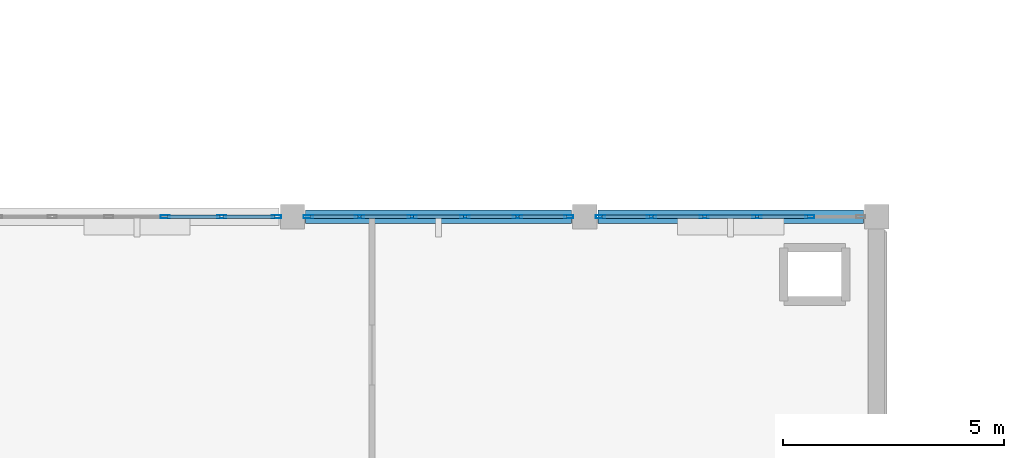
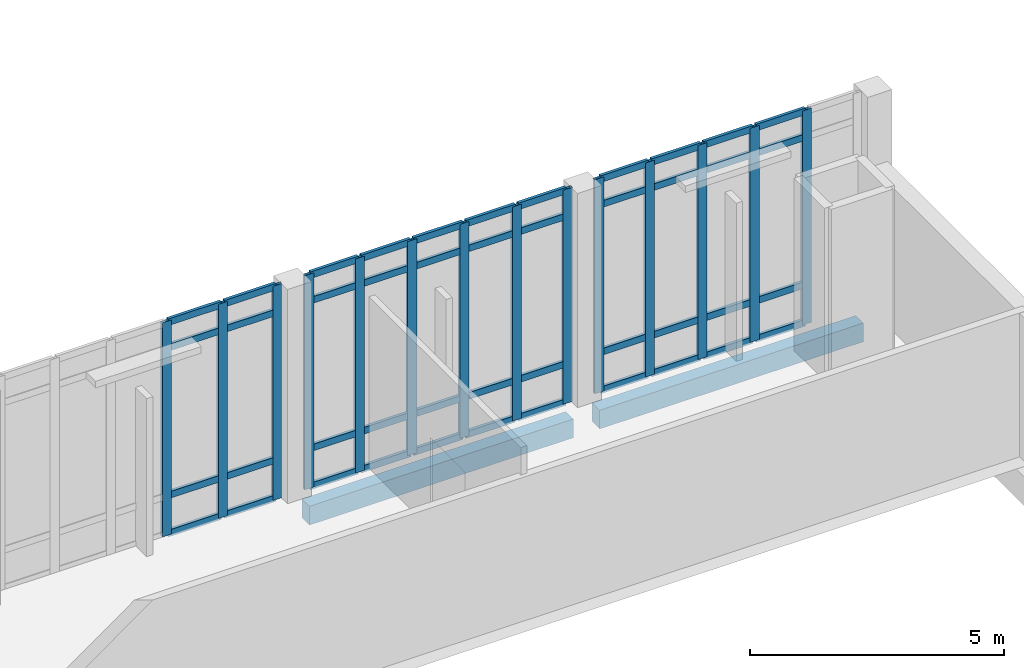
# One storey, part 44 of 134: 58 members, 2 beams, 3 elements without a shape of their own.
"""IFC4 building model written with IfcOpenShell, lengths in metres."""

from ifc_helpers import new_model, si_unit, direction, frame, origin, origin_2d, place, context, subcontext, project, spatial, rectangle, hollow_rectangle, extrude, material, material_profile, profile_set, type_object, element, aggregate, save


model = new_model("IFC4")

# Units and contexts
model_context = context("Model", 3, precision=1e-05, world=origin(), true_north=direction((0.0, 1.0)))
body_context = subcontext(model_context, "Body", "Model", "MODEL_VIEW")
ifc_project = project(units=[si_unit("LENGTHUNIT", "METRE"), si_unit("AREAUNIT", "SQUARE_METRE"), si_unit("VOLUMEUNIT", "CUBIC_METRE"), si_unit("PLANEANGLEUNIT", "RADIAN"), si_unit("MASSUNIT", "GRAM", prefix="KILO")], contexts=[model_context])

# Site, building, storey
site_placement = place(None, origin())
site = spatial("IfcSite", under=ifc_project, at=site_placement, CompositionType="ELEMENT")
building_placement = place(site_placement, origin())
building = spatial("IfcBuilding", under=site, at=building_placement, Name="Kalluvel Institute of Natural Sciences", CompositionType="ELEMENT")
storey_placement = place(building_placement, frame((0.0, 0.0, 5.39990234375)))
storey = spatial("IfcBuildingStorey", under=building, at=storey_placement, Name="L01", CompositionType="ELEMENT", Elevation=5.39990234375)

# Curtain wall, members
ifc_material_1 = material(Name="Aluminium AW-6063 T6", Category="aluminium")
curtain_wall_type = type_object("IfcCurtainWallType", Name="CW-SPAV-45", PredefinedType="USERDEFINED", material=ifc_material_1)
curtain_wall_1_placement = place(storey_placement, origin())
curtain_wall_1 = element("IfcCurtainWall", 1, at=curtain_wall_1_placement, inside=storey, type_object=curtain_wall_type, Name="L01 Gothic lancet curtain wall CWA-L01-X1225-Y356", ObjectType="UNITISED LANCET FACADE", PredefinedType="USERDEFINED")
ifc_material_profile_1 = material_profile(ifc_material_1, hollow_rectangle(XDim=0.070068359375, YDim=0.2099609375, WallThickness=0.0048828125, at=origin_2d()), Name="CWM 70x210")
ifc_profile_set_1 = profile_set([ifc_material_profile_1], Name="Aluminium AW-6063 T6")
member_type_1 = type_object("IfcMemberType", Name="CWM-70x210", PredefinedType="MULLION", material=ifc_profile_set_1)
member_1_placement = place(storey_placement, frame((126.324951171875, 35.60009765625, 0.0), z_axis=(0.0, 0.0, 1.0), x_axis=(0.0, 1.0, 0.0)))
member_1 = element("IfcMember", 2, at=member_1_placement, type_object=member_type_1, Name="CW-10 mullion 4", PredefinedType="MULLION", context=body_context, shape_type="SweptSolid", body=[
    extrude(hollow_rectangle(XDim=0.070068359375, YDim=0.2099609375, WallThickness=0.0048828125, at=origin_2d()), origin(), (0.0, 0.0, 1.0), 5.150146484375),
])
member_2_placement = place(storey_placement, frame((127.60009765625, 35.60009765625, 0.0), z_axis=(0.0, 0.0, 1.0), x_axis=(0.0, 1.0, 0.0)))
member_2 = element("IfcMember", 3, at=member_2_placement, type_object=member_type_1, Name="CW-10 mullion 5", PredefinedType="MULLION", context=body_context, shape_type="SweptSolid", body=[
    extrude(hollow_rectangle(XDim=0.070068359375, YDim=0.2099609375, WallThickness=0.0048828125, at=origin_2d()), origin(), (0.0, 0.0, 1.0), 5.150146484375),
])
member_3_placement = place(storey_placement, frame((128.840087890625, 35.60009765625, 0.0), z_axis=(0.0, 0.0, 1.0), x_axis=(0.0, 1.0, 0.0)))
member_3 = element("IfcMember", 4, at=member_3_placement, type_object=member_type_1, Name="CW-10 mullion 6", PredefinedType="MULLION", context=body_context, shape_type="SweptSolid", body=[
    extrude(hollow_rectangle(XDim=0.070068359375, YDim=0.2099609375, WallThickness=0.0048828125, at=origin_2d()), origin(), (0.0, 0.0, 1.0), 5.150146484375),
])

curtain_wall_2_placement = place(storey_placement, origin())
curtain_wall_2 = element("IfcCurtainWall", 5, at=curtain_wall_2_placement, inside=storey, type_object=curtain_wall_type, Name="L01 Gothic lancet curtain wall CWA-L01-X1295-Y356", ObjectType="UNITISED LANCET FACADE", PredefinedType="USERDEFINED")
member_4_placement = place(storey_placement, frame((129.56005859375, 35.60009765625, 0.0), z_axis=(0.0, 0.0, 1.0), x_axis=(0.0, 1.0, 0.0)))
member_4 = element("IfcMember", 6, at=member_4_placement, type_object=member_type_1, Name="CW-10 mullion 1", PredefinedType="MULLION", context=body_context, shape_type="SweptSolid", body=[
    extrude(hollow_rectangle(XDim=0.070068359375, YDim=0.2099609375, WallThickness=0.0048828125, at=origin_2d()), origin(), (0.0, 0.0, 1.0), 5.150146484375),
])
member_5_placement = place(storey_placement, frame((130.715087890625, 35.60009765625, 0.0), z_axis=(0.0, 0.0, 1.0), x_axis=(0.0, 1.0, 0.0)))
member_5 = element("IfcMember", 7, at=member_5_placement, type_object=member_type_1, Name="CW-10 mullion 2", PredefinedType="MULLION", context=body_context, shape_type="SweptSolid", body=[
    extrude(hollow_rectangle(XDim=0.070068359375, YDim=0.2099609375, WallThickness=0.0048828125, at=origin_2d()), origin(), (0.0, 0.0, 1.0), 5.150146484375),
])
member_6_placement = place(storey_placement, frame((131.905029296875, 35.60009765625, 0.0), z_axis=(0.0, 0.0, 1.0), x_axis=(0.0, 1.0, 0.0)))
member_6 = element("IfcMember", 8, at=member_6_placement, type_object=member_type_1, Name="CW-10 mullion 3", PredefinedType="MULLION", context=body_context, shape_type="SweptSolid", body=[
    extrude(hollow_rectangle(XDim=0.070068359375, YDim=0.2099609375, WallThickness=0.0048828125, at=origin_2d()), origin(), (0.0, 0.0, 1.0), 5.150146484375),
])
member_7_placement = place(storey_placement, frame((133.094970703125, 35.60009765625, 0.0), z_axis=(0.0, 0.0, 1.0), x_axis=(0.0, 1.0, 0.0)))
member_7 = element("IfcMember", 9, at=member_7_placement, type_object=member_type_1, Name="CW-10 mullion 4", PredefinedType="MULLION", context=body_context, shape_type="SweptSolid", body=[
    extrude(hollow_rectangle(XDim=0.070068359375, YDim=0.2099609375, WallThickness=0.0048828125, at=origin_2d()), origin(), (0.0, 0.0, 1.0), 5.150146484375),
])
member_8_placement = place(storey_placement, frame((134.284912109375, 35.60009765625, 0.0), z_axis=(0.0, 0.0, 1.0), x_axis=(0.0, 1.0, 0.0)))
member_8 = element("IfcMember", 10, at=member_8_placement, type_object=member_type_1, Name="CW-10 mullion 5", PredefinedType="MULLION", context=body_context, shape_type="SweptSolid", body=[
    extrude(hollow_rectangle(XDim=0.070068359375, YDim=0.2099609375, WallThickness=0.0048828125, at=origin_2d()), origin(), (0.0, 0.0, 1.0), 5.150146484375),
])
member_9_placement = place(storey_placement, frame((135.43994140625, 35.60009765625, 0.0), z_axis=(0.0, 0.0, 1.0), x_axis=(0.0, 1.0, 0.0)))
member_9 = element("IfcMember", 11, at=member_9_placement, type_object=member_type_1, Name="CW-10 mullion 6", PredefinedType="MULLION", context=body_context, shape_type="SweptSolid", body=[
    extrude(hollow_rectangle(XDim=0.070068359375, YDim=0.2099609375, WallThickness=0.0048828125, at=origin_2d()), origin(), (0.0, 0.0, 1.0), 5.150146484375),
])

curtain_wall_3_placement = place(storey_placement, origin())
curtain_wall_3 = element("IfcCurtainWall", 12, at=curtain_wall_3_placement, inside=storey, type_object=curtain_wall_type, Name="L01 Gothic lancet curtain wall CWA-L01-X1361-Y356", ObjectType="UNITISED LANCET FACADE", PredefinedType="USERDEFINED")
member_10_placement = place(storey_placement, frame((136.159912109375, 35.60009765625, 0.0), z_axis=(0.0, 0.0, 1.0), x_axis=(0.0, 1.0, 0.0)))
member_10 = element("IfcMember", 13, at=member_10_placement, type_object=member_type_1, Name="CW-10 mullion 1", PredefinedType="MULLION", context=body_context, shape_type="SweptSolid", body=[
    extrude(hollow_rectangle(XDim=0.070068359375, YDim=0.2099609375, WallThickness=0.0048828125, at=origin_2d()), origin(), (0.0, 0.0, 1.0), 5.150146484375),
])
member_11_placement = place(storey_placement, frame((137.31494140625, 35.60009765625, 0.0), z_axis=(0.0, 0.0, 1.0), x_axis=(0.0, 1.0, 0.0)))
member_11 = element("IfcMember", 14, at=member_11_placement, type_object=member_type_1, Name="CW-10 mullion 2", PredefinedType="MULLION", context=body_context, shape_type="SweptSolid", body=[
    extrude(hollow_rectangle(XDim=0.070068359375, YDim=0.2099609375, WallThickness=0.0048828125, at=origin_2d()), origin(), (0.0, 0.0, 1.0), 5.150146484375),
])
member_12_placement = place(storey_placement, frame((138.5048828125, 35.60009765625, 0.0), z_axis=(0.0, 0.0, 1.0), x_axis=(0.0, 1.0, 0.0)))
member_12 = element("IfcMember", 15, at=member_12_placement, type_object=member_type_1, Name="CW-10 mullion 3", PredefinedType="MULLION", context=body_context, shape_type="SweptSolid", body=[
    extrude(hollow_rectangle(XDim=0.070068359375, YDim=0.2099609375, WallThickness=0.0048828125, at=origin_2d()), origin(), (0.0, 0.0, 1.0), 5.150146484375),
])
member_13_placement = place(storey_placement, frame((139.695068359375, 35.60009765625, 0.0), z_axis=(0.0, 0.0, 1.0), x_axis=(0.0, 1.0, 0.0)))
member_13 = element("IfcMember", 16, at=member_13_placement, type_object=member_type_1, Name="CW-10 mullion 4", PredefinedType="MULLION", context=body_context, shape_type="SweptSolid", body=[
    extrude(hollow_rectangle(XDim=0.070068359375, YDim=0.2099609375, WallThickness=0.0048828125, at=origin_2d()), origin(), (0.0, 0.0, 1.0), 5.150146484375),
])
member_14_placement = place(storey_placement, frame((140.885009765625, 35.60009765625, 0.0), z_axis=(0.0, 0.0, 1.0), x_axis=(0.0, 1.0, 0.0)))
member_14 = element("IfcMember", 17, at=member_14_placement, type_object=member_type_1, Name="CW-10 mullion 5", PredefinedType="MULLION", context=body_context, shape_type="SweptSolid", body=[
    extrude(hollow_rectangle(XDim=0.070068359375, YDim=0.2099609375, WallThickness=0.0048828125, at=origin_2d()), origin(), (0.0, 0.0, 1.0), 5.150146484375),
])

# Member
ifc_material_profile_2 = material_profile(ifc_material_1, hollow_rectangle(XDim=0.070068359375, YDim=0.159912109375, WallThickness=0.0048828125, at=origin_2d()), Name="CWT 70x160")
ifc_profile_set_2 = profile_set([ifc_material_profile_2], Name="Aluminium AW-6063 T6")
member_type_2 = type_object("IfcMemberType", Name="CWT-70x160", PredefinedType="USERDEFINED", material=ifc_profile_set_2)
member_15_placement = place(storey_placement, frame((126.360107421875, 35.60009765625, 0.03515625), z_axis=(1.0, 0.0, 0.0), x_axis=(0.0, 1.0, 0.0)))
member_15 = element("IfcMember", 18, at=member_15_placement, type_object=member_type_2, Name="CW-10 transom 4.1", ObjectType="TRANSOM", PredefinedType="USERDEFINED", context=body_context, shape_type="SweptSolid", body=[
    extrude(hollow_rectangle(XDim=0.070068359375, YDim=0.159912109375, WallThickness=0.0048828125, at=origin_2d()), origin(), (0.0, 0.0, 1.0), 1.204833984375),
])

member_16_placement = place(storey_placement, frame((126.360107421875, 35.60009765625, 0.9501953125), z_axis=(1.0, 0.0, 0.0), x_axis=(0.0, 1.0, 0.0)))
member_16 = element("IfcMember", 19, at=member_16_placement, type_object=member_type_2, Name="CW-10 transom 4.2", ObjectType="TRANSOM", PredefinedType="USERDEFINED", context=body_context, shape_type="SweptSolid", body=[
    extrude(hollow_rectangle(XDim=0.070068359375, YDim=0.159912109375, WallThickness=0.0048828125, at=origin_2d()), origin(), (0.0, 0.0, 1.0), 1.204833984375),
])

member_17_placement = place(storey_placement, frame((126.360107421875, 35.60009765625, 4.5), z_axis=(1.0, 0.0, 0.0), x_axis=(0.0, 1.0, 0.0)))
member_17 = element("IfcMember", 20, at=member_17_placement, type_object=member_type_2, Name="CW-10 transom 4.3", ObjectType="TRANSOM", PredefinedType="USERDEFINED", context=body_context, shape_type="SweptSolid", body=[
    extrude(hollow_rectangle(XDim=0.070068359375, YDim=0.159912109375, WallThickness=0.0048828125, at=origin_2d()), origin(), (0.0, 0.0, 1.0), 1.204833984375),
])

member_18_placement = place(storey_placement, frame((126.360107421875, 35.60009765625, 5.114990234375), z_axis=(1.0, 0.0, 0.0), x_axis=(0.0, 1.0, 0.0)))
member_18 = element("IfcMember", 21, at=member_18_placement, type_object=member_type_2, Name="CW-10 transom 4.4", ObjectType="TRANSOM", PredefinedType="USERDEFINED", context=body_context, shape_type="SweptSolid", body=[
    extrude(hollow_rectangle(XDim=0.070068359375, YDim=0.159912109375, WallThickness=0.0048828125, at=origin_2d()), origin(), (0.0, 0.0, 1.0), 1.204833984375),
])

member_19_placement = place(storey_placement, frame((127.635009765625, 35.60009765625, 0.03515625), z_axis=(1.0, 0.0, 0.0), x_axis=(0.0, 1.0, 0.0)))
member_19 = element("IfcMember", 22, at=member_19_placement, type_object=member_type_2, Name="CW-10 transom 5.1", ObjectType="TRANSOM", PredefinedType="USERDEFINED", context=body_context, shape_type="SweptSolid", body=[
    extrude(hollow_rectangle(XDim=0.070068359375, YDim=0.159912109375, WallThickness=0.0048828125, at=origin_2d()), origin(), (0.0, 0.0, 1.0), 1.169921875),
])

member_20_placement = place(storey_placement, frame((127.635009765625, 35.60009765625, 0.9501953125), z_axis=(1.0, 0.0, 0.0), x_axis=(0.0, 1.0, 0.0)))
member_20 = element("IfcMember", 23, at=member_20_placement, type_object=member_type_2, Name="CW-10 transom 5.2", ObjectType="TRANSOM", PredefinedType="USERDEFINED", context=body_context, shape_type="SweptSolid", body=[
    extrude(hollow_rectangle(XDim=0.070068359375, YDim=0.159912109375, WallThickness=0.0048828125, at=origin_2d()), origin(), (0.0, 0.0, 1.0), 1.169921875),
])

member_21_placement = place(storey_placement, frame((127.635009765625, 35.60009765625, 4.5), z_axis=(1.0, 0.0, 0.0), x_axis=(0.0, 1.0, 0.0)))
member_21 = element("IfcMember", 24, at=member_21_placement, type_object=member_type_2, Name="CW-10 transom 5.3", ObjectType="TRANSOM", PredefinedType="USERDEFINED", context=body_context, shape_type="SweptSolid", body=[
    extrude(hollow_rectangle(XDim=0.070068359375, YDim=0.159912109375, WallThickness=0.0048828125, at=origin_2d()), origin(), (0.0, 0.0, 1.0), 1.169921875),
])

member_22_placement = place(storey_placement, frame((127.635009765625, 35.60009765625, 5.114990234375), z_axis=(1.0, 0.0, 0.0), x_axis=(0.0, 1.0, 0.0)))
member_22 = element("IfcMember", 25, at=member_22_placement, type_object=member_type_2, Name="CW-10 transom 5.4", ObjectType="TRANSOM", PredefinedType="USERDEFINED", context=body_context, shape_type="SweptSolid", body=[
    extrude(hollow_rectangle(XDim=0.070068359375, YDim=0.159912109375, WallThickness=0.0048828125, at=origin_2d()), origin(), (0.0, 0.0, 1.0), 1.169921875),
])

aggregate(curtain_wall_1, [member_1, member_2, member_3, member_15, member_16, member_17, member_18, member_19, member_20, member_21, member_22])

member_23_placement = place(storey_placement, frame((129.594970703125, 35.60009765625, 0.03515625), z_axis=(1.0, 0.0, 0.0), x_axis=(0.0, 1.0, 0.0)))
member_23 = element("IfcMember", 26, at=member_23_placement, type_object=member_type_2, Name="CW-10 transom 1.1", ObjectType="TRANSOM", PredefinedType="USERDEFINED", context=body_context, shape_type="SweptSolid", body=[
    extrude(hollow_rectangle(XDim=0.070068359375, YDim=0.159912109375, WallThickness=0.0048828125, at=origin_2d()), origin(), (0.0, 0.0, 1.0), 1.0849609375),
])

member_24_placement = place(storey_placement, frame((129.594970703125, 35.60009765625, 0.9501953125), z_axis=(1.0, 0.0, 0.0), x_axis=(0.0, 1.0, 0.0)))
member_24 = element("IfcMember", 27, at=member_24_placement, type_object=member_type_2, Name="CW-10 transom 1.2", ObjectType="TRANSOM", PredefinedType="USERDEFINED", context=body_context, shape_type="SweptSolid", body=[
    extrude(hollow_rectangle(XDim=0.070068359375, YDim=0.159912109375, WallThickness=0.0048828125, at=origin_2d()), origin(), (0.0, 0.0, 1.0), 1.0849609375),
])

member_25_placement = place(storey_placement, frame((129.594970703125, 35.60009765625, 4.5), z_axis=(1.0, 0.0, 0.0), x_axis=(0.0, 1.0, 0.0)))
member_25 = element("IfcMember", 28, at=member_25_placement, type_object=member_type_2, Name="CW-10 transom 1.3", ObjectType="TRANSOM", PredefinedType="USERDEFINED", context=body_context, shape_type="SweptSolid", body=[
    extrude(hollow_rectangle(XDim=0.070068359375, YDim=0.159912109375, WallThickness=0.0048828125, at=origin_2d()), origin(), (0.0, 0.0, 1.0), 1.0849609375),
])

member_26_placement = place(storey_placement, frame((129.594970703125, 35.60009765625, 5.114990234375), z_axis=(1.0, 0.0, 0.0), x_axis=(0.0, 1.0, 0.0)))
member_26 = element("IfcMember", 29, at=member_26_placement, type_object=member_type_2, Name="CW-10 transom 1.4", ObjectType="TRANSOM", PredefinedType="USERDEFINED", context=body_context, shape_type="SweptSolid", body=[
    extrude(hollow_rectangle(XDim=0.070068359375, YDim=0.159912109375, WallThickness=0.0048828125, at=origin_2d()), origin(), (0.0, 0.0, 1.0), 1.0849609375),
])

member_27_placement = place(storey_placement, frame((130.75, 35.60009765625, 0.03515625), z_axis=(1.0, 0.0, 0.0), x_axis=(0.0, 1.0, 0.0)))
member_27 = element("IfcMember", 30, at=member_27_placement, type_object=member_type_2, Name="CW-10 transom 2.1", ObjectType="TRANSOM", PredefinedType="USERDEFINED", context=body_context, shape_type="SweptSolid", body=[
    extrude(hollow_rectangle(XDim=0.070068359375, YDim=0.159912109375, WallThickness=0.0048828125, at=origin_2d()), origin(), (0.0, 0.0, 1.0), 1.1201171875),
])

member_28_placement = place(storey_placement, frame((130.75, 35.60009765625, 0.9501953125), z_axis=(1.0, 0.0, 0.0), x_axis=(0.0, 1.0, 0.0)))
member_28 = element("IfcMember", 31, at=member_28_placement, type_object=member_type_2, Name="CW-10 transom 2.2", ObjectType="TRANSOM", PredefinedType="USERDEFINED", context=body_context, shape_type="SweptSolid", body=[
    extrude(hollow_rectangle(XDim=0.070068359375, YDim=0.159912109375, WallThickness=0.0048828125, at=origin_2d()), origin(), (0.0, 0.0, 1.0), 1.1201171875),
])

member_29_placement = place(storey_placement, frame((130.75, 35.60009765625, 4.5), z_axis=(1.0, 0.0, 0.0), x_axis=(0.0, 1.0, 0.0)))
member_29 = element("IfcMember", 32, at=member_29_placement, type_object=member_type_2, Name="CW-10 transom 2.3", ObjectType="TRANSOM", PredefinedType="USERDEFINED", context=body_context, shape_type="SweptSolid", body=[
    extrude(hollow_rectangle(XDim=0.070068359375, YDim=0.159912109375, WallThickness=0.0048828125, at=origin_2d()), origin(), (0.0, 0.0, 1.0), 1.1201171875),
])

member_30_placement = place(storey_placement, frame((130.75, 35.60009765625, 5.114990234375), z_axis=(1.0, 0.0, 0.0), x_axis=(0.0, 1.0, 0.0)))
member_30 = element("IfcMember", 33, at=member_30_placement, type_object=member_type_2, Name="CW-10 transom 2.4", ObjectType="TRANSOM", PredefinedType="USERDEFINED", context=body_context, shape_type="SweptSolid", body=[
    extrude(hollow_rectangle(XDim=0.070068359375, YDim=0.159912109375, WallThickness=0.0048828125, at=origin_2d()), origin(), (0.0, 0.0, 1.0), 1.1201171875),
])

member_31_placement = place(storey_placement, frame((131.93994140625, 35.60009765625, 0.03515625), z_axis=(1.0, 0.0, 0.0), x_axis=(0.0, 1.0, 0.0)))
member_31 = element("IfcMember", 34, at=member_31_placement, type_object=member_type_2, Name="CW-10 transom 3.1", ObjectType="TRANSOM", PredefinedType="USERDEFINED", context=body_context, shape_type="SweptSolid", body=[
    extrude(hollow_rectangle(XDim=0.070068359375, YDim=0.159912109375, WallThickness=0.0048828125, at=origin_2d()), origin(), (0.0, 0.0, 1.0), 1.1201171875),
])

member_32_placement = place(storey_placement, frame((131.93994140625, 35.60009765625, 0.9501953125), z_axis=(1.0, 0.0, 0.0), x_axis=(0.0, 1.0, 0.0)))
member_32 = element("IfcMember", 35, at=member_32_placement, type_object=member_type_2, Name="CW-10 transom 3.2", ObjectType="TRANSOM", PredefinedType="USERDEFINED", context=body_context, shape_type="SweptSolid", body=[
    extrude(hollow_rectangle(XDim=0.070068359375, YDim=0.159912109375, WallThickness=0.0048828125, at=origin_2d()), origin(), (0.0, 0.0, 1.0), 1.1201171875),
])

member_33_placement = place(storey_placement, frame((131.93994140625, 35.60009765625, 4.5), z_axis=(1.0, 0.0, 0.0), x_axis=(0.0, 1.0, 0.0)))
member_33 = element("IfcMember", 36, at=member_33_placement, type_object=member_type_2, Name="CW-10 transom 3.3", ObjectType="TRANSOM", PredefinedType="USERDEFINED", context=body_context, shape_type="SweptSolid", body=[
    extrude(hollow_rectangle(XDim=0.070068359375, YDim=0.159912109375, WallThickness=0.0048828125, at=origin_2d()), origin(), (0.0, 0.0, 1.0), 1.1201171875),
])

member_34_placement = place(storey_placement, frame((131.93994140625, 35.60009765625, 5.114990234375), z_axis=(1.0, 0.0, 0.0), x_axis=(0.0, 1.0, 0.0)))
member_34 = element("IfcMember", 37, at=member_34_placement, type_object=member_type_2, Name="CW-10 transom 3.4", ObjectType="TRANSOM", PredefinedType="USERDEFINED", context=body_context, shape_type="SweptSolid", body=[
    extrude(hollow_rectangle(XDim=0.070068359375, YDim=0.159912109375, WallThickness=0.0048828125, at=origin_2d()), origin(), (0.0, 0.0, 1.0), 1.1201171875),
])

member_35_placement = place(storey_placement, frame((133.1298828125, 35.60009765625, 0.03515625), z_axis=(1.0, 0.0, 0.0), x_axis=(0.0, 1.0, 0.0)))
member_35 = element("IfcMember", 38, at=member_35_placement, type_object=member_type_2, Name="CW-10 transom 4.1", ObjectType="TRANSOM", PredefinedType="USERDEFINED", context=body_context, shape_type="SweptSolid", body=[
    extrude(hollow_rectangle(XDim=0.070068359375, YDim=0.159912109375, WallThickness=0.0048828125, at=origin_2d()), origin(), (0.0, 0.0, 1.0), 1.1201171875),
])

member_36_placement = place(storey_placement, frame((133.1298828125, 35.60009765625, 0.9501953125), z_axis=(1.0, 0.0, 0.0), x_axis=(0.0, 1.0, 0.0)))
member_36 = element("IfcMember", 39, at=member_36_placement, type_object=member_type_2, Name="CW-10 transom 4.2", ObjectType="TRANSOM", PredefinedType="USERDEFINED", context=body_context, shape_type="SweptSolid", body=[
    extrude(hollow_rectangle(XDim=0.070068359375, YDim=0.159912109375, WallThickness=0.0048828125, at=origin_2d()), origin(), (0.0, 0.0, 1.0), 1.1201171875),
])

member_37_placement = place(storey_placement, frame((133.1298828125, 35.60009765625, 4.5), z_axis=(1.0, 0.0, 0.0), x_axis=(0.0, 1.0, 0.0)))
member_37 = element("IfcMember", 40, at=member_37_placement, type_object=member_type_2, Name="CW-10 transom 4.3", ObjectType="TRANSOM", PredefinedType="USERDEFINED", context=body_context, shape_type="SweptSolid", body=[
    extrude(hollow_rectangle(XDim=0.070068359375, YDim=0.159912109375, WallThickness=0.0048828125, at=origin_2d()), origin(), (0.0, 0.0, 1.0), 1.1201171875),
])

member_38_placement = place(storey_placement, frame((133.1298828125, 35.60009765625, 5.114990234375), z_axis=(1.0, 0.0, 0.0), x_axis=(0.0, 1.0, 0.0)))
member_38 = element("IfcMember", 41, at=member_38_placement, type_object=member_type_2, Name="CW-10 transom 4.4", ObjectType="TRANSOM", PredefinedType="USERDEFINED", context=body_context, shape_type="SweptSolid", body=[
    extrude(hollow_rectangle(XDim=0.070068359375, YDim=0.159912109375, WallThickness=0.0048828125, at=origin_2d()), origin(), (0.0, 0.0, 1.0), 1.1201171875),
])

member_39_placement = place(storey_placement, frame((134.320068359375, 35.60009765625, 0.03515625), z_axis=(1.0, 0.0, 0.0), x_axis=(0.0, 1.0, 0.0)))
member_39 = element("IfcMember", 42, at=member_39_placement, type_object=member_type_2, Name="CW-10 transom 5.1", ObjectType="TRANSOM", PredefinedType="USERDEFINED", context=body_context, shape_type="SweptSolid", body=[
    extrude(hollow_rectangle(XDim=0.070068359375, YDim=0.159912109375, WallThickness=0.0048828125, at=origin_2d()), origin(), (0.0, 0.0, 1.0), 1.0849609375),
])

member_40_placement = place(storey_placement, frame((134.320068359375, 35.60009765625, 0.9501953125), z_axis=(1.0, 0.0, 0.0), x_axis=(0.0, 1.0, 0.0)))
member_40 = element("IfcMember", 43, at=member_40_placement, type_object=member_type_2, Name="CW-10 transom 5.2", ObjectType="TRANSOM", PredefinedType="USERDEFINED", context=body_context, shape_type="SweptSolid", body=[
    extrude(hollow_rectangle(XDim=0.070068359375, YDim=0.159912109375, WallThickness=0.0048828125, at=origin_2d()), origin(), (0.0, 0.0, 1.0), 1.0849609375),
])

member_41_placement = place(storey_placement, frame((134.320068359375, 35.60009765625, 4.5), z_axis=(1.0, 0.0, 0.0), x_axis=(0.0, 1.0, 0.0)))
member_41 = element("IfcMember", 44, at=member_41_placement, type_object=member_type_2, Name="CW-10 transom 5.3", ObjectType="TRANSOM", PredefinedType="USERDEFINED", context=body_context, shape_type="SweptSolid", body=[
    extrude(hollow_rectangle(XDim=0.070068359375, YDim=0.159912109375, WallThickness=0.0048828125, at=origin_2d()), origin(), (0.0, 0.0, 1.0), 1.0849609375),
])

member_42_placement = place(storey_placement, frame((134.320068359375, 35.60009765625, 5.114990234375), z_axis=(1.0, 0.0, 0.0), x_axis=(0.0, 1.0, 0.0)))
member_42 = element("IfcMember", 45, at=member_42_placement, type_object=member_type_2, Name="CW-10 transom 5.4", ObjectType="TRANSOM", PredefinedType="USERDEFINED", context=body_context, shape_type="SweptSolid", body=[
    extrude(hollow_rectangle(XDim=0.070068359375, YDim=0.159912109375, WallThickness=0.0048828125, at=origin_2d()), origin(), (0.0, 0.0, 1.0), 1.0849609375),
])

aggregate(curtain_wall_2, [member_4, member_5, member_6, member_7, member_8, member_9, member_23, member_24, member_25, member_26, member_27, member_28, member_29, member_30, member_31, member_32, member_33, member_34, member_35, member_36, member_37, member_38, member_39, member_40, member_41, member_42])

member_43_placement = place(storey_placement, frame((136.195068359375, 35.60009765625, 0.03515625), z_axis=(1.0, 0.0, 0.0), x_axis=(0.0, 1.0, 0.0)))
member_43 = element("IfcMember", 46, at=member_43_placement, type_object=member_type_2, Name="CW-10 transom 1.1", ObjectType="TRANSOM", PredefinedType="USERDEFINED", context=body_context, shape_type="SweptSolid", body=[
    extrude(hollow_rectangle(XDim=0.070068359375, YDim=0.159912109375, WallThickness=0.0048828125, at=origin_2d()), origin(), (0.0, 0.0, 1.0), 1.0849609375),
])

member_44_placement = place(storey_placement, frame((136.195068359375, 35.60009765625, 0.9501953125), z_axis=(1.0, 0.0, 0.0), x_axis=(0.0, 1.0, 0.0)))
member_44 = element("IfcMember", 47, at=member_44_placement, type_object=member_type_2, Name="CW-10 transom 1.2", ObjectType="TRANSOM", PredefinedType="USERDEFINED", context=body_context, shape_type="SweptSolid", body=[
    extrude(hollow_rectangle(XDim=0.070068359375, YDim=0.159912109375, WallThickness=0.0048828125, at=origin_2d()), origin(), (0.0, 0.0, 1.0), 1.0849609375),
])

member_45_placement = place(storey_placement, frame((136.195068359375, 35.60009765625, 4.5), z_axis=(1.0, 0.0, 0.0), x_axis=(0.0, 1.0, 0.0)))
member_45 = element("IfcMember", 48, at=member_45_placement, type_object=member_type_2, Name="CW-10 transom 1.3", ObjectType="TRANSOM", PredefinedType="USERDEFINED", context=body_context, shape_type="SweptSolid", body=[
    extrude(hollow_rectangle(XDim=0.070068359375, YDim=0.159912109375, WallThickness=0.0048828125, at=origin_2d()), origin(), (0.0, 0.0, 1.0), 1.0849609375),
])

member_46_placement = place(storey_placement, frame((136.195068359375, 35.60009765625, 5.114990234375), z_axis=(1.0, 0.0, 0.0), x_axis=(0.0, 1.0, 0.0)))
member_46 = element("IfcMember", 49, at=member_46_placement, type_object=member_type_2, Name="CW-10 transom 1.4", ObjectType="TRANSOM", PredefinedType="USERDEFINED", context=body_context, shape_type="SweptSolid", body=[
    extrude(hollow_rectangle(XDim=0.070068359375, YDim=0.159912109375, WallThickness=0.0048828125, at=origin_2d()), origin(), (0.0, 0.0, 1.0), 1.0849609375),
])

member_47_placement = place(storey_placement, frame((137.35009765625, 35.60009765625, 0.03515625), z_axis=(1.0, 0.0, 0.0), x_axis=(0.0, 1.0, 0.0)))
member_47 = element("IfcMember", 50, at=member_47_placement, type_object=member_type_2, Name="CW-10 transom 2.1", ObjectType="TRANSOM", PredefinedType="USERDEFINED", context=body_context, shape_type="SweptSolid", body=[
    extrude(hollow_rectangle(XDim=0.070068359375, YDim=0.159912109375, WallThickness=0.0048828125, at=origin_2d()), origin(), (0.0, 0.0, 1.0), 1.119873046875),
])

member_48_placement = place(storey_placement, frame((137.35009765625, 35.60009765625, 0.9501953125), z_axis=(1.0, 0.0, 0.0), x_axis=(0.0, 1.0, 0.0)))
member_48 = element("IfcMember", 51, at=member_48_placement, type_object=member_type_2, Name="CW-10 transom 2.2", ObjectType="TRANSOM", PredefinedType="USERDEFINED", context=body_context, shape_type="SweptSolid", body=[
    extrude(hollow_rectangle(XDim=0.070068359375, YDim=0.159912109375, WallThickness=0.0048828125, at=origin_2d()), origin(), (0.0, 0.0, 1.0), 1.119873046875),
])

member_49_placement = place(storey_placement, frame((137.35009765625, 35.60009765625, 4.5), z_axis=(1.0, 0.0, 0.0), x_axis=(0.0, 1.0, 0.0)))
member_49 = element("IfcMember", 52, at=member_49_placement, type_object=member_type_2, Name="CW-10 transom 2.3", ObjectType="TRANSOM", PredefinedType="USERDEFINED", context=body_context, shape_type="SweptSolid", body=[
    extrude(hollow_rectangle(XDim=0.070068359375, YDim=0.159912109375, WallThickness=0.0048828125, at=origin_2d()), origin(), (0.0, 0.0, 1.0), 1.119873046875),
])

member_50_placement = place(storey_placement, frame((137.35009765625, 35.60009765625, 5.114990234375), z_axis=(1.0, 0.0, 0.0), x_axis=(0.0, 1.0, 0.0)))
member_50 = element("IfcMember", 53, at=member_50_placement, type_object=member_type_2, Name="CW-10 transom 2.4", ObjectType="TRANSOM", PredefinedType="USERDEFINED", context=body_context, shape_type="SweptSolid", body=[
    extrude(hollow_rectangle(XDim=0.070068359375, YDim=0.159912109375, WallThickness=0.0048828125, at=origin_2d()), origin(), (0.0, 0.0, 1.0), 1.119873046875),
])

member_51_placement = place(storey_placement, frame((138.5400390625, 35.60009765625, 0.03515625), z_axis=(1.0, 0.0, 0.0), x_axis=(0.0, 1.0, 0.0)))
member_51 = element("IfcMember", 54, at=member_51_placement, type_object=member_type_2, Name="CW-10 transom 3.1", ObjectType="TRANSOM", PredefinedType="USERDEFINED", context=body_context, shape_type="SweptSolid", body=[
    extrude(hollow_rectangle(XDim=0.070068359375, YDim=0.159912109375, WallThickness=0.0048828125, at=origin_2d()), origin(), (0.0, 0.0, 1.0), 1.119873046875),
])

member_52_placement = place(storey_placement, frame((138.5400390625, 35.60009765625, 0.9501953125), z_axis=(1.0, 0.0, 0.0), x_axis=(0.0, 1.0, 0.0)))
member_52 = element("IfcMember", 55, at=member_52_placement, type_object=member_type_2, Name="CW-10 transom 3.2", ObjectType="TRANSOM", PredefinedType="USERDEFINED", context=body_context, shape_type="SweptSolid", body=[
    extrude(hollow_rectangle(XDim=0.070068359375, YDim=0.159912109375, WallThickness=0.0048828125, at=origin_2d()), origin(), (0.0, 0.0, 1.0), 1.119873046875),
])

member_53_placement = place(storey_placement, frame((138.5400390625, 35.60009765625, 4.5), z_axis=(1.0, 0.0, 0.0), x_axis=(0.0, 1.0, 0.0)))
member_53 = element("IfcMember", 56, at=member_53_placement, type_object=member_type_2, Name="CW-10 transom 3.3", ObjectType="TRANSOM", PredefinedType="USERDEFINED", context=body_context, shape_type="SweptSolid", body=[
    extrude(hollow_rectangle(XDim=0.070068359375, YDim=0.159912109375, WallThickness=0.0048828125, at=origin_2d()), origin(), (0.0, 0.0, 1.0), 1.119873046875),
])

member_54_placement = place(storey_placement, frame((138.5400390625, 35.60009765625, 5.114990234375), z_axis=(1.0, 0.0, 0.0), x_axis=(0.0, 1.0, 0.0)))
member_54 = element("IfcMember", 57, at=member_54_placement, type_object=member_type_2, Name="CW-10 transom 3.4", ObjectType="TRANSOM", PredefinedType="USERDEFINED", context=body_context, shape_type="SweptSolid", body=[
    extrude(hollow_rectangle(XDim=0.070068359375, YDim=0.159912109375, WallThickness=0.0048828125, at=origin_2d()), origin(), (0.0, 0.0, 1.0), 1.119873046875),
])

member_55_placement = place(storey_placement, frame((139.72998046875, 35.60009765625, 0.03515625), z_axis=(1.0, 0.0, 0.0), x_axis=(0.0, 1.0, 0.0)))
member_55 = element("IfcMember", 58, at=member_55_placement, type_object=member_type_2, Name="CW-10 transom 4.1", ObjectType="TRANSOM", PredefinedType="USERDEFINED", context=body_context, shape_type="SweptSolid", body=[
    extrude(hollow_rectangle(XDim=0.070068359375, YDim=0.159912109375, WallThickness=0.0048828125, at=origin_2d()), origin(), (0.0, 0.0, 1.0), 1.1201171875),
])

member_56_placement = place(storey_placement, frame((139.72998046875, 35.60009765625, 0.9501953125), z_axis=(1.0, 0.0, 0.0), x_axis=(0.0, 1.0, 0.0)))
member_56 = element("IfcMember", 59, at=member_56_placement, type_object=member_type_2, Name="CW-10 transom 4.2", ObjectType="TRANSOM", PredefinedType="USERDEFINED", context=body_context, shape_type="SweptSolid", body=[
    extrude(hollow_rectangle(XDim=0.070068359375, YDim=0.159912109375, WallThickness=0.0048828125, at=origin_2d()), origin(), (0.0, 0.0, 1.0), 1.1201171875),
])

member_57_placement = place(storey_placement, frame((139.72998046875, 35.60009765625, 4.5), z_axis=(1.0, 0.0, 0.0), x_axis=(0.0, 1.0, 0.0)))
member_57 = element("IfcMember", 60, at=member_57_placement, type_object=member_type_2, Name="CW-10 transom 4.3", ObjectType="TRANSOM", PredefinedType="USERDEFINED", context=body_context, shape_type="SweptSolid", body=[
    extrude(hollow_rectangle(XDim=0.070068359375, YDim=0.159912109375, WallThickness=0.0048828125, at=origin_2d()), origin(), (0.0, 0.0, 1.0), 1.1201171875),
])

member_58_placement = place(storey_placement, frame((139.72998046875, 35.60009765625, 5.114990234375), z_axis=(1.0, 0.0, 0.0), x_axis=(0.0, 1.0, 0.0)))
member_58 = element("IfcMember", 61, at=member_58_placement, type_object=member_type_2, Name="CW-10 transom 4.4", ObjectType="TRANSOM", PredefinedType="USERDEFINED", context=body_context, shape_type="SweptSolid", body=[
    extrude(hollow_rectangle(XDim=0.070068359375, YDim=0.159912109375, WallThickness=0.0048828125, at=origin_2d()), origin(), (0.0, 0.0, 1.0), 1.1201171875),
])

aggregate(curtain_wall_3, [member_10, member_11, member_12, member_13, member_14, member_43, member_44, member_45, member_46, member_47, member_48, member_49, member_50, member_51, member_52, member_53, member_54, member_55, member_56, member_57, member_58])

# Beams
ifc_material_2 = material(Name="Concrete M40", Category="concrete")
ifc_material_profile_3 = material_profile(ifc_material_2, rectangle(XDim=0.300048828125, YDim=0.449951171875, at=origin_2d()), Name="RCB 300x450")
ifc_profile_set_3 = profile_set([ifc_material_profile_3], Name="Concrete M40")
beam_type = type_object("IfcBeamType", Name="SP-RC300x450", PredefinedType="SPANDREL", material=ifc_profile_set_3)
for number, where, z_axis, x_axis, name in (
    (62, (129.5, 35.60009765625, -0.56494140625), (1.0, 0.0, 0.0), (0.0, 1.0, 0.0), "L01 girder GIR-L01-EW-X1292-Y356"),
    (63, (136.10009765625, 35.60009765625, -0.56494140625), (1.0, 0.0, 0.0), (0.0, 1.0, 0.0), "L01 girder GIR-L01-EW-X1358-Y356"),
):
    element("IfcBeam", number, at=place(storey_placement, frame(where, z_axis=z_axis, x_axis=x_axis)), inside=storey, type_object=beam_type, Name=name, PredefinedType="SPANDREL", context=body_context, shape_type="SweptSolid", body=[
        extrude(rectangle(XDim=0.300048828125, YDim=0.449951171875, at=origin_2d()), origin(), (0.0, 0.0, 1.0), 6.0),
    ])

save(model, "model.ifc")
